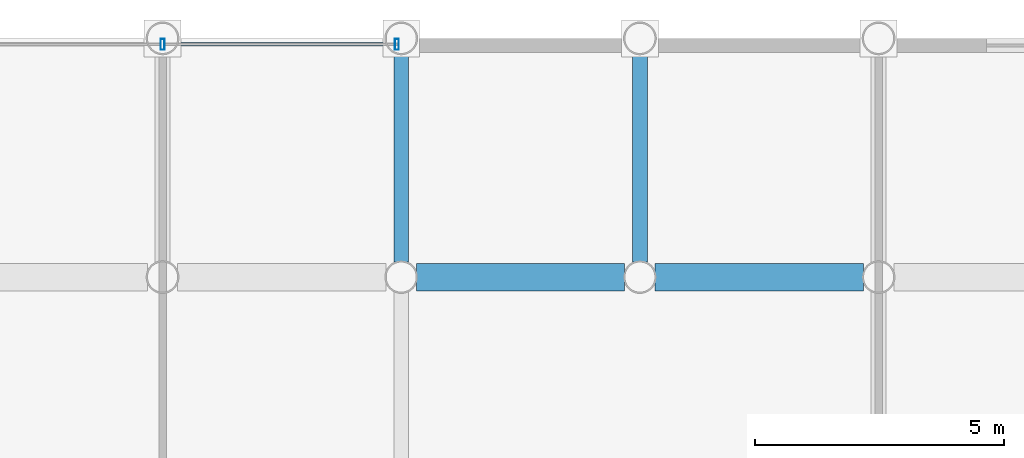
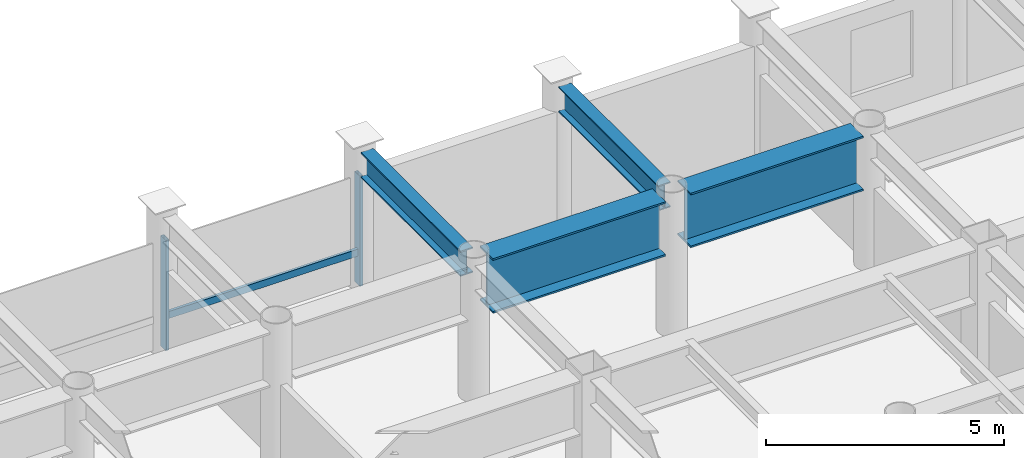
# One storey, part 16 of 24: 4 beams, 3 members, 1 element without a shape of its own.
"""IFC4 building model written with IfcOpenShell, lengths in metres."""

from ifc_helpers import new_model, si_unit, direction, frame, origin, origin_2d, place, context, subcontext, project, spatial, hollow_rectangle, i_section, extrude, material, layer, layer_set, material_profile, profile_set, type_object, element, aggregate, save


model = new_model("IFC4")

# Units and contexts
model_context = context("Model", 3, precision=1e-05, world=origin(), true_north=direction((0.0, 1.0)))
body_context = subcontext(model_context, "Body", "Model", "MODEL_VIEW")
ifc_project = project(units=[si_unit("LENGTHUNIT", "METRE"), si_unit("AREAUNIT", "SQUARE_METRE"), si_unit("VOLUMEUNIT", "CUBIC_METRE"), si_unit("PLANEANGLEUNIT", "RADIAN"), si_unit("MASSUNIT", "GRAM", prefix="KILO")], contexts=[model_context])

# Site, building, storey
site_placement = place(None, origin())
site = spatial("IfcSite", under=ifc_project, at=site_placement, CompositionType="ELEMENT")
building_placement = place(site_placement, origin())
building = spatial("IfcBuilding", under=site, at=building_placement, Name="Kallvorn Hotel Tower", CompositionType="ELEMENT")
storey_placement = place(building_placement, frame((0.0, 0.0, 150.699951171875)))
storey = spatial("IfcBuildingStorey", under=building, at=storey_placement, Name="L37", CompositionType="ELEMENT", Elevation=150.699951171875)

# Beams
ifc_material_1 = material(Name="Structural steel S355JR", Category="steel")
ifc_material_profile_1 = material_profile(ifc_material_1, i_section(OverallWidth=0.300048828125, OverallDepth=0.64990234375, WebThickness=0.01611328125, FlangeThickness=0.031005859375, at=origin_2d()), Name="HE 650 B")
ifc_profile_set_1 = profile_set([ifc_material_profile_1], Name="Structural steel S355JR")
beam_type_1 = type_object("IfcBeamType", Name="BM_HE650B", PredefinedType="BEAM", material=ifc_profile_set_1)
for number, where, z_axis, x_axis, name in (
    (1, (4.800048828125, 19.5048828125, 3.195068359375), (0.0, 1.0, 0.0), (-1.0, 0.0, 0.0), "L38 Primary Y-Girder 131"),
    (2, (9.60009765625, 19.5048828125, 3.195068359375), (0.0, 1.0, 0.0), (-1.0, 0.0, 0.0), "L38 Primary Y-Girder 134"),
):
    element("IfcBeam", number, at=place(storey_placement, frame(where, z_axis=z_axis, x_axis=x_axis)), inside=storey, type_object=beam_type_1, Name=name, PredefinedType="BEAM", context=body_context, shape_type="SweptSolid", body=[
        extrude(i_section(OverallWidth=0.300048828125, OverallDepth=0.64990234375, WebThickness=0.01611328125, FlangeThickness=0.031005859375, at=origin_2d()), origin(), (0.0, 0.0, 1.0), 4.190185546875),
    ])
ifc_material_2 = material(Name="Structural steel S355JR", Category="steel")
ifc_material_profile_2 = material_profile(ifc_material_2, i_section(OverallWidth=0.550048828125, OverallDepth=1.39990234375, WebThickness=0.02490234375, FlangeThickness=0.044921875, at=origin_2d()), Name="PG 1400x550x25x45")
ifc_profile_set_2 = profile_set([ifc_material_profile_2], Name="Structural steel S355JR")
beam_type_2 = type_object("IfcBeamType", Name="BM_PG_1400", PredefinedType="BEAM", material=ifc_profile_set_2)
for number, where, z_axis, x_axis, name in (
    (3, (5.10498046875, 19.199951171875, 2.820068359375), (1.0, 0.0, 0.0), (0.0, 1.0, 0.0), "L38 Primary X-Girder 81"),
    (4, (9.905029296875, 19.199951171875, 2.820068359375), (1.0, 0.0, 0.0), (0.0, 1.0, 0.0), "L38 Primary X-Girder 82"),
):
    element("IfcBeam", number, at=place(storey_placement, frame(where, z_axis=z_axis, x_axis=x_axis)), inside=storey, type_object=beam_type_2, Name=name, PredefinedType="BEAM", context=body_context, shape_type="SweptSolid", body=[
        extrude(i_section(OverallWidth=0.550048828125, OverallDepth=1.39990234375, WebThickness=0.02490234375, FlangeThickness=0.044921875, at=origin_2d()), origin(), (0.0, 0.0, 1.0), 4.18994140625),
    ])

# Curtain wall, members
ifc_material_3 = material(Name="Thermally broken black-anodised aluminium AA 6063-T6", Category="aluminium")
ifc_layer = layer(ifc_material_3, 0.2099609375)
ifc_layer_set = layer_set([ifc_layer], Name="CW_SYS_4_HOTEL_MID")
curtain_wall_type = type_object("IfcCurtainWallType", Name="CW_SYS_4_HOTEL_MID", PredefinedType="USERDEFINED", material=ifc_layer_set)
curtain_wall_placement = place(storey_placement, origin())
curtain_wall = element("IfcCurtainWall", 5, at=curtain_wall_placement, inside=storey, type_object=curtain_wall_type, Name="L37 Dark-Glass Curtain Wall CW-L37-NC", ObjectType="UNITISED CURTAIN WALL", PredefinedType="USERDEFINED")
ifc_material_4 = material(Name="Thermally broken black-anodised aluminium AA 6063-T6", Category="aluminium")
ifc_material_profile_3 = material_profile(ifc_material_4, hollow_rectangle(XDim=0.080078125, YDim=0.219970703125, WallThickness=0.0048828125, at=origin_2d()), Name="MUL 220x80")
ifc_profile_set_3 = profile_set([ifc_material_profile_3], Name="Thermally broken black-anodised aluminium AA 6063-T6")
member_type_1 = type_object("IfcMemberType", Name="CW_MULLION_220x80", PredefinedType="MULLION", material=ifc_profile_set_3)
member_1_placement = place(storey_placement, frame((0.0, 23.8798828125, 0.02001953125), z_axis=(0.0, 0.0, 1.0), x_axis=(1.0, 0.0, 0.0)))
member_1 = element("IfcMember", 6, at=member_1_placement, type_object=member_type_1, Name="CW-L37-NC Mullion 01", PredefinedType="MULLION", context=body_context, shape_type="SweptSolid", body=[
    extrude(hollow_rectangle(XDim=0.080078125, YDim=0.219970703125, WallThickness=0.0048828125, at=origin_2d()), origin(), (0.0, 0.0, 1.0), 2.830078125),
])
member_2_placement = place(storey_placement, frame((4.7099609375, 23.8798828125, 0.02001953125), z_axis=(0.0, 0.0, 1.0), x_axis=(1.0, 0.0, 0.0)))
member_2 = element("IfcMember", 7, at=member_2_placement, type_object=member_type_1, Name="CW-L37-NC Mullion 02", PredefinedType="MULLION", context=body_context, shape_type="SweptSolid", body=[
    extrude(hollow_rectangle(XDim=0.080078125, YDim=0.219970703125, WallThickness=0.0048828125, at=origin_2d()), origin(), (0.0, 0.0, 1.0), 2.830078125),
])
ifc_material_5 = material(Name="Thermally broken black-anodised aluminium AA 6063-T6", Category="aluminium")
ifc_material_profile_4 = material_profile(ifc_material_5, hollow_rectangle(XDim=0.070068359375, YDim=0.179931640625, WallThickness=0.00390625, at=origin_2d()), Name="TRN 180x70")
ifc_profile_set_4 = profile_set([ifc_material_profile_4], Name="Thermally broken black-anodised aluminium AA 6063-T6")
member_type_2 = type_object("IfcMemberType", Name="CW_TRANSOM_180x70", PredefinedType="USERDEFINED", material=ifc_profile_set_4)
member_3_placement = place(storey_placement, frame((0.0400390625, 23.8798828125, 0.85009765625), z_axis=(1.0, 0.0, 0.0), x_axis=(0.0, 1.0, 0.0)))
member_3 = element("IfcMember", 8, at=member_3_placement, type_object=member_type_2, Name="CW-L37-NC Transom 01M", ObjectType="TRANSOM", PredefinedType="USERDEFINED", context=body_context, shape_type="SweptSolid", body=[
    extrude(hollow_rectangle(XDim=0.070068359375, YDim=0.179931640625, WallThickness=0.00390625, at=origin_2d()), origin(), (0.0, 0.0, 1.0), 4.669921875),
])
aggregate(curtain_wall, [member_1, member_2, member_3])

save(model, "model.ifc")
